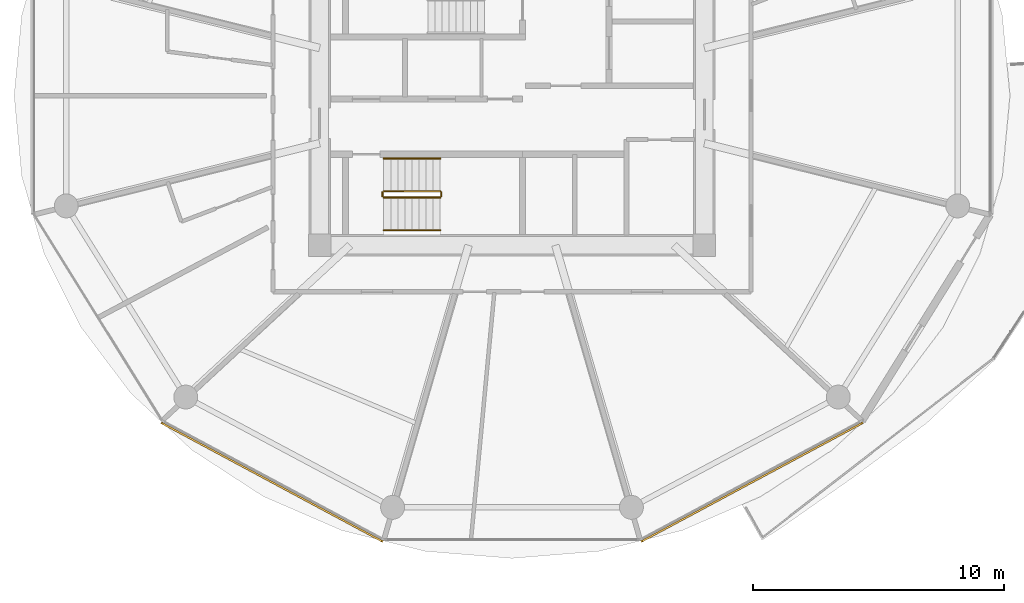
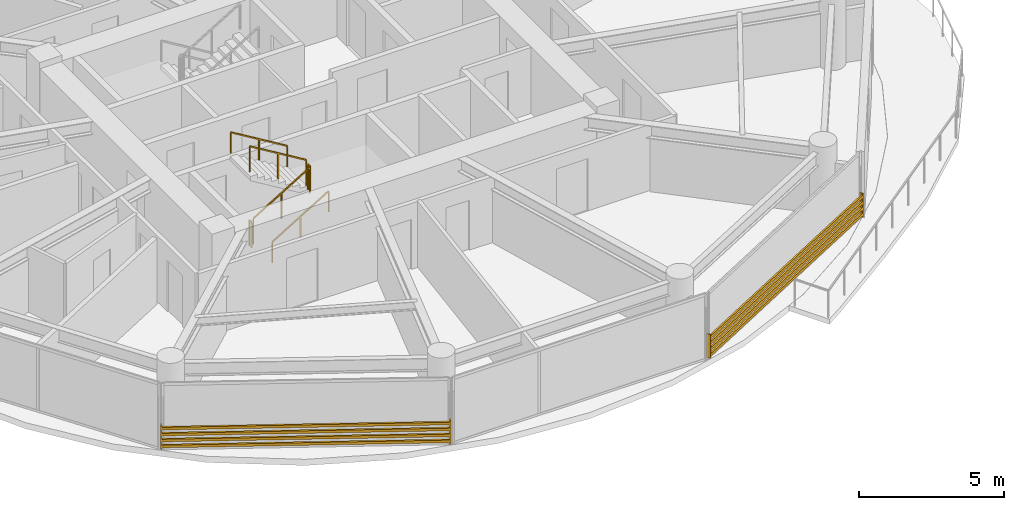
# One storey, part 22 of 26: 6 railings, 2 shading devices.
"""IFC4 building model written with IfcOpenShell, lengths in metres."""

from ifc_helpers import new_model, si_unit, direction, frame, origin, origin_2d, place, context, subcontext, project, spatial, rectangle, extrude, source, transform, mapped, material, type_object, type_shapes, element, save


model = new_model("IFC4")

# Units and contexts
model_context = context("Model", 3, precision=1e-05, world=origin(), true_north=direction((0.0, 1.0)))
body_context = subcontext(model_context, "Body", "Model", "MODEL_VIEW")
ifc_project = project(units=[si_unit("LENGTHUNIT", "METRE"), si_unit("AREAUNIT", "SQUARE_METRE"), si_unit("VOLUMEUNIT", "CUBIC_METRE"), si_unit("PLANEANGLEUNIT", "RADIAN"), si_unit("MASSUNIT", "GRAM", prefix="KILO")], contexts=[model_context])

# Site, building, storey
site_placement = place(None, origin())
site = spatial("IfcSite", under=ifc_project, at=site_placement, CompositionType="ELEMENT")
building_placement = place(site_placement, origin())
building = spatial("IfcBuilding", under=site, at=building_placement, Name="Norrkilde Senior Care Towers", CompositionType="ELEMENT")
storey_placement = place(building_placement, frame((0.0, 0.0, 64.300048828125)))
storey = spatial("IfcBuildingStorey", under=building, at=storey_placement, Name="L19", CompositionType="ELEMENT", Elevation=64.300048828125)

# Railings
ifc_material_1 = material(Name="Stainless Steel", Category="steel")
railing_type_1 = type_object("IfcRailingType", Name="Stair and Terrace Guardrail 1100", PredefinedType="GUARDRAIL", material=ifc_material_1)
railing_1_placement = place(storey_placement, frame((-33.10009765625, -4.050048828125, 0.16943359375)))
element("IfcRailing", 1, at=railing_1_placement, inside=storey, type_object=railing_type_1, Name="L19 ST-W2 stair guard 1", PredefinedType="GUARDRAIL", context=body_context, shape_type="SweptSolid", body=[
    extrude(rectangle(XDim=0.048095703125, YDim=0.048095703125, at=origin_2d()), frame((0.0, 0.0, 1.076171875), z_axis=(0.855553338991, 0.0, 0.51771467445), x_axis=(0.0, 1.0, 0.0)), (0.0, 0.0, 1.0), 2.6181640625),
    extrude(rectangle(XDim=0.0419921875, YDim=0.0419921875, at=origin_2d()), origin(), (0.0, 0.0, 1.0), 1.050048828125),
    extrude(rectangle(XDim=0.0419921875, YDim=0.0419921875, at=origin_2d()), frame((1.1201171875, 0.0, 0.677734375)), (0.0, 0.0, 1.0), 1.050048828125),
    extrude(rectangle(XDim=0.0419921875, YDim=0.0419921875, at=origin_2d()), frame((2.239990234375, 0.0, 1.35546875)), (0.0, 0.0, 1.0), 1.050048828125),
])
railing_2_placement = place(storey_placement, frame((-30.81005859375, -4.0, 1.52490234375)))
element("IfcRailing", 2, at=railing_2_placement, inside=storey, type_object=railing_type_1, Name="L19 ST-W2 stair guard 2", PredefinedType="GUARDRAIL", context=body_context, shape_type="SweptSolid", body=[
    extrude(rectangle(XDim=0.048095703125, YDim=0.048095703125, at=origin_2d()), frame((0.0, 0.0, 1.076171875), z_axis=(0.0, 1.0, 0.0), x_axis=(-1.0, 0.0, 0.0)), (0.0, 0.0, 1.0), 0.14990234375),
    extrude(rectangle(XDim=0.0419921875, YDim=0.0419921875, at=origin_2d()), origin(), (0.0, 0.0, 1.0), 1.050048828125),
    extrude(rectangle(XDim=0.0419921875, YDim=0.0419921875, at=origin_2d()), frame((0.0, 0.14990234375, 0.0)), (0.0, 0.0, 1.0), 1.050048828125),
])
railing_3_placement = place(storey_placement, frame((-30.860107421875, -3.800048828125, 1.6943359375)))
element("IfcRailing", 3, at=railing_3_placement, inside=storey, type_object=railing_type_1, Name="L19 ST-W2 stair guard 3", PredefinedType="GUARDRAIL", context=body_context, shape_type="SweptSolid", body=[
    extrude(rectangle(XDim=0.048095703125, YDim=0.048095703125, at=origin_2d()), frame((0.0, 0.0, 1.076171875), z_axis=(-0.855512035549, 0.0, 0.517782924622), x_axis=(0.0, -1.0, 0.0)), (0.0, 0.0, 1.0), 2.618408203125),
    extrude(rectangle(XDim=0.0419921875, YDim=0.0419921875, at=origin_2d()), origin(), (0.0, 0.0, 1.0), 1.050048828125),
    extrude(rectangle(XDim=0.0419921875, YDim=0.0419921875, at=origin_2d()), frame((-1.1201171875, 0.0, 0.677734375)), (0.0, 0.0, 1.0), 1.050048828125),
    extrude(rectangle(XDim=0.0419921875, YDim=0.0419921875, at=origin_2d()), frame((-2.239990234375, 0.0, 1.355712890625)), (0.0, 0.0, 1.0), 1.050048828125),
])
railing_4_placement = place(storey_placement, frame((-33.14990234375, -4.0, 0.0)))
element("IfcRailing", 4, at=railing_4_placement, inside=storey, type_object=railing_type_1, Name="L19 ST-W2 stair guard 4", PredefinedType="GUARDRAIL", context=body_context, shape_type="SweptSolid", body=[
    extrude(rectangle(XDim=0.048095703125, YDim=0.048095703125, at=origin_2d()), frame((0.0, 0.0, 1.076171875), z_axis=(0.0, 1.0, 0.0), x_axis=(-1.0, 0.0, 0.0)), (0.0, 0.0, 1.0), 0.14990234375),
    extrude(rectangle(XDim=0.0419921875, YDim=0.0419921875, at=origin_2d()), origin(), (0.0, 0.0, 1.0), 1.050048828125),
    extrude(rectangle(XDim=0.0419921875, YDim=0.0419921875, at=origin_2d()), frame((0.0, 0.14990234375, 0.0)), (0.0, 0.0, 1.0), 1.050048828125),
])
ifc_material_2 = material(Name="Nordic Ash Timber", Category="wood")
railing_type_2 = type_object("IfcRailingType", Name="Wall and Stair Handrail 900", PredefinedType="HANDRAIL", material=ifc_material_2)
railing_5_placement = place(storey_placement, frame((-33.10009765625, -5.35009765625, 0.16943359375)))
element("IfcRailing", 5, at=railing_5_placement, inside=storey, type_object=railing_type_2, Name="L19 ST-W2 stair handrail 1", PredefinedType="HANDRAIL", context=body_context, shape_type="SweptSolid", body=[
    extrude(rectangle(XDim=0.048095703125, YDim=0.048095703125, at=origin_2d()), frame((0.0, 0.0, 0.8759765625), z_axis=(0.855553338991, 0.0, 0.51771467445), x_axis=(0.0, 1.0, 0.0)), (0.0, 0.0, 1.0), 2.6181640625),
    extrude(rectangle(XDim=0.0419921875, YDim=0.0419921875, at=origin_2d()), origin(), (0.0, 0.0, 1.0), 0.849853515625),
    extrude(rectangle(XDim=0.0419921875, YDim=0.0419921875, at=origin_2d()), frame((1.1201171875, 0.0, 0.677734375)), (0.0, 0.0, 1.0), 0.849853515625),
    extrude(rectangle(XDim=0.0419921875, YDim=0.0419921875, at=origin_2d()), frame((2.239990234375, 0.0, 1.35546875)), (0.0, 0.0, 1.0), 0.849853515625),
])
railing_6_placement = place(storey_placement, frame((-30.860107421875, -2.5, 1.6943359375)))
element("IfcRailing", 6, at=railing_6_placement, inside=storey, type_object=railing_type_2, Name="L19 ST-W2 stair handrail 2", PredefinedType="HANDRAIL", context=body_context, shape_type="SweptSolid", body=[
    extrude(rectangle(XDim=0.048095703125, YDim=0.048095703125, at=origin_2d()), frame((0.0, 0.0, 0.8759765625), z_axis=(-0.855512035549, 0.0, 0.517782924622), x_axis=(0.0, -1.0, 0.0)), (0.0, 0.0, 1.0), 2.618408203125),
    extrude(rectangle(XDim=0.0419921875, YDim=0.0419921875, at=origin_2d()), origin(), (0.0, 0.0, 1.0), 0.849853515625),
    extrude(rectangle(XDim=0.0419921875, YDim=0.0419921875, at=origin_2d()), frame((-1.1201171875, 0.0, 0.677734375)), (0.0, 0.0, 1.0), 0.849853515625),
    extrude(rectangle(XDim=0.0419921875, YDim=0.0419921875, at=origin_2d()), frame((-2.239990234375, 0.0, 1.355712890625)), (0.0, 0.0, 1.0), 0.849853515625),
])

# Shading devices
ifc_material_3 = material(Name="Architectural Terracotta", Category="masonry")
shading_device_type = type_object("IfcShadingDeviceType", Name="Horizontal Terracotta Baguette Rack", PredefinedType="USERDEFINED", material=ifc_material_3)
shared_shape = source(origin(), body_context, "Body", "SweptSolid", [
    extrude(rectangle(XDim=0.070068359375, YDim=0.110107421875, at=origin_2d()), frame((0.0, 0.090087890625, 0.125), z_axis=(1.0, 0.0, 0.0), x_axis=(0.0, 1.0, 0.0)), (0.0, 0.0, 1.0), 10.0107421875),
    extrude(rectangle(XDim=0.070068359375, YDim=0.110107421875, at=origin_2d()), frame((0.0, 0.090087890625, 0.375), z_axis=(1.0, 0.0, 0.0), x_axis=(0.0, 1.0, 0.0)), (0.0, 0.0, 1.0), 10.0107421875),
    extrude(rectangle(XDim=0.070068359375, YDim=0.110107421875, at=origin_2d()), frame((0.0, 0.090087890625, 0.625), z_axis=(1.0, 0.0, 0.0), x_axis=(0.0, 1.0, 0.0)), (0.0, 0.0, 1.0), 10.0107421875),
    extrude(rectangle(XDim=0.070068359375, YDim=0.110107421875, at=origin_2d()), frame((0.0, 0.090087890625, 0.875), z_axis=(1.0, 0.0, 0.0), x_axis=(0.0, 1.0, 0.0)), (0.0, 0.0, 1.0), 10.0107421875),
    extrude(rectangle(XDim=0.050048828125, YDim=0.1552734375, at=origin_2d()), frame((0.02490234375, 0.047607421875, 0.0)), (0.0, 0.0, 1.0), 1.0),
    extrude(rectangle(XDim=0.050048828125, YDim=0.1552734375, at=origin_2d()), frame((9.98583984375, 0.047607421875, 0.0)), (0.0, 0.0, 1.0), 1.0),
])
type_shapes(shading_device_type, [shared_shape])
for number, where, z_axis, x_axis, name in (
    (7, (-33.093505859375, -17.6572265625, 0.079833984375), (0.0, 0.0, 1.0), (-0.881279875134, 0.472612428056, 0.0), "L19 Drum W Terracotta Baguette Screen 07"),
    (8, (-14.084228515625, -12.926025390625, 0.079833984375), (0.0, 0.0, 1.0), (-0.881279875134, -0.472612428056, 0.0), "L19 Drum W Terracotta Baguette Screen 09"),
):
    element("IfcShadingDevice", number, at=place(storey_placement, frame(where, z_axis=z_axis, x_axis=x_axis)), inside=storey, type_object=shading_device_type, Name=name, ObjectType="BAGUETTE", PredefinedType="USERDEFINED", context=body_context, shape_type="MappedRepresentation", body=[
        mapped(shared_shape, transform((0.0, 0.0, 0.0), x_axis=(1.0, 0.0, 0.0), y_axis=(0.0, 1.0, 0.0), z_axis=(0.0, 0.0, 1.0), scale=1.0)),
    ])

save(model, "model.ifc")
